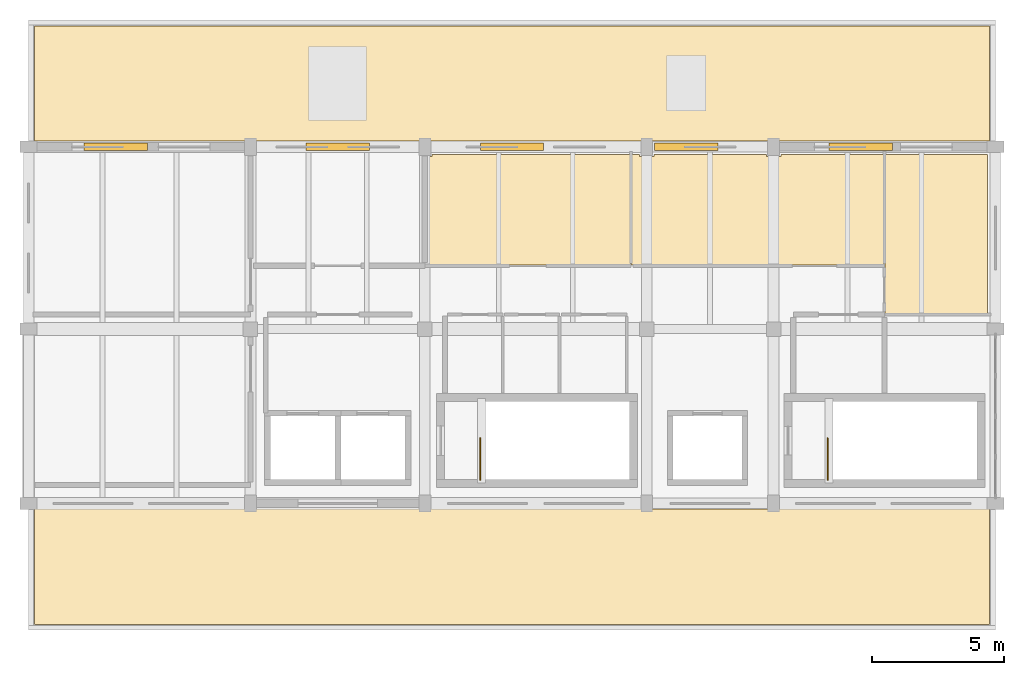
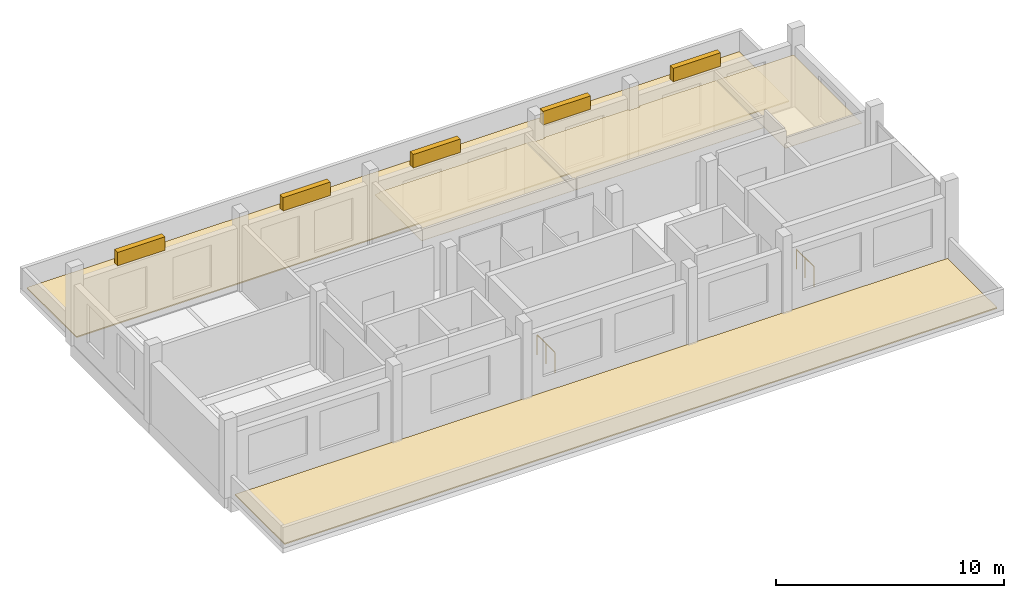
# One storey, part 6 of 6: 5 coverings, 5 shading devices, 2 railings.
"""IFC4 building model written with IfcOpenShell, lengths in metres."""

from ifc_helpers import new_model, si_unit, direction, frame, origin, origin_2d, place, context, subcontext, project, spatial, polyline, rectangle, circle, outline, extrude, material, layer, layer_set, type_object, element, save


model = new_model("IFC4")

# Units and contexts
model_context = context("Model", 3, precision=1e-05, world=origin(), true_north=direction((0.0, 1.0)))
body_context = subcontext(model_context, "Body", "Model", "MODEL_VIEW")
ifc_project = project(units=[si_unit("LENGTHUNIT", "METRE"), si_unit("AREAUNIT", "SQUARE_METRE"), si_unit("VOLUMEUNIT", "CUBIC_METRE"), si_unit("PLANEANGLEUNIT", "RADIAN"), si_unit("MASSUNIT", "GRAM", prefix="KILO")], contexts=[model_context])

# Site, building, storey
site_placement = place(None, origin())
site = spatial("IfcSite", under=ifc_project, at=site_placement, CompositionType="ELEMENT")
building_placement = place(site_placement, origin())
building = spatial("IfcBuilding", under=site, at=building_placement, Name="Dornvale Research Institute", CompositionType="ELEMENT")
storey_placement = place(building_placement, frame((0.0, 0.0, 46.800048828125)))
storey = spatial("IfcBuildingStorey", under=building, at=storey_placement, Name="L10", CompositionType="ELEMENT", Elevation=46.800048828125)

# Coverings
ifc_material_1 = material(Name="Mineral-Fibre Acoustic Lay-In Ceiling Tile System")
ifc_layer_1 = layer(ifc_material_1, 0.02001953125)
ifc_layer_set_1 = layer_set([ifc_layer_1], Name="Mineral-Fibre Acoustic Lay-In Ceiling Tile System")
covering_type_1 = type_object("IfcCoveringType", Name="Covering_Acoustic_Ceiling", PredefinedType="CEILING", material=ifc_layer_set_1)
covering_1_placement = place(storey_placement, frame((0.0, 0.0, 2.849853515625)))
element("IfcCovering", 1, at=covering_1_placement, inside=storey, type_object=covering_type_1, Name="L10 Telemetry and Calibration Laboratory suspended ceiling", PredefinedType="CEILING", context=body_context, shape_type="SweptSolid", body=[
    extrude(outline(polyline([(19.820068359375, 116.925048828125), (20.074951171875, 116.925048828125), (20.074951171875, 117.0), (27.580078125, 117.0), (27.580078125, 112.820068359375), (19.820068359375, 112.820068359375), (19.820068359375, 116.925048828125)])), origin(), (0.0, 0.0, 1.0), 0.02001953125),
])
covering_2_placement = place(storey_placement, frame((0.0, 0.0, 2.849853515625)))
element("IfcCovering", 2, at=covering_2_placement, inside=storey, type_object=covering_type_1, Name="L10 Systems Engineering Seminar Room L10 suspended ceiling", PredefinedType="CEILING", context=body_context, shape_type="SweptSolid", body=[
    extrude(outline(polyline([(32.72509765625, 116.925048828125), (33.27490234375, 116.925048828125), (33.27490234375, 117.0), (37.179931640625, 117.0), (37.179931640625, 112.820068359375), (27.6201171875, 112.820068359375), (27.6201171875, 117.0), (27.925048828125, 117.0), (27.925048828125, 116.925048828125), (28.47509765625, 116.925048828125), (28.47509765625, 117.0), (32.72509765625, 117.0), (32.72509765625, 116.925048828125)])), origin(), (0.0, 0.0, 1.0), 0.02001953125),
])
covering_3_placement = place(storey_placement, frame((0.0, 0.0, 2.849853515625)))
element("IfcCovering", 3, at=covering_3_placement, inside=storey, type_object=covering_type_1, Name="L10 Building Automation and Engineering Office suspended ceiling", PredefinedType="CEILING", context=body_context, shape_type="SweptSolid", body=[
    extrude(outline(polyline([(41.10009765625, 110.969970703125), (37.219970703125, 110.969970703125), (37.219970703125, 117.0), (41.10009765625, 117.0), (41.10009765625, 110.969970703125)])), origin(), (0.0, 0.0, 1.0), 0.02001953125),
])
ifc_material_2 = material(Name="TPO High-Reflectance Cool Roof Membrane and Rigid Insulation")
ifc_layer_2 = layer(ifc_material_2, 0.06005859375)
ifc_layer_set_2 = layer_set([ifc_layer_2], Name="TPO High-Reflectance Cool Roof Membrane and Rigid Insulation")
covering_type_2 = type_object("IfcCoveringType", Name="Covering_CoolRoof_Membrane", PredefinedType="ROOFING", material=ifc_layer_set_2)
covering_4_placement = place(storey_placement, origin())
element("IfcCovering", 4, at=covering_4_placement, inside=storey, type_object=covering_type_2, Name="L10 setback roof membrane S", PredefinedType="ROOFING", context=body_context, shape_type="SweptSolid", body=[
    extrude(outline(polyline([(5.02001953125, 99.219970703125), (41.179931640625, 99.219970703125), (41.179931640625, 103.580078125), (5.02001953125, 103.580078125), (5.02001953125, 99.219970703125)])), origin(), (0.0, 0.0, 1.0), 0.06005859375),
])
covering_5_placement = place(storey_placement, origin())
element("IfcCovering", 5, at=covering_5_placement, inside=storey, type_object=covering_type_2, Name="L10 setback roof membrane N", PredefinedType="ROOFING", context=body_context, shape_type="SweptSolid", body=[
    extrude(outline(polyline([(5.02001953125, 117.52001953125), (41.179931640625, 117.52001953125), (41.179931640625, 121.8798828125), (5.02001953125, 121.8798828125), (5.02001953125, 117.52001953125)])), origin(), (0.0, 0.0, 1.0), 0.06005859375),
])

# Railings
ifc_material_3 = material(Name="Galvanized Painted Tubular Steel Stair Rail", Category="steel")
ifc_layer_3 = layer(ifc_material_3, 0.050048828125)
ifc_layer_set_3 = layer_set([ifc_layer_3], Name="Galvanized Painted Tubular Steel Stair Rail")
railing_type = type_object("IfcRailingType", Name="Railing_Stair_Guard_1100", PredefinedType="GUARDRAIL", material=ifc_layer_set_3)
for number, where, name in (
    (6, (21.89990234375, 104.699951171875, 0.0), "L10 ST-1 top well guard 1"),
    (7, (35.050048828125, 104.699951171875, 0.0), "L10 ST-2 top well guard 1"),
):
    element("IfcRailing", number, at=place(storey_placement, frame(where)), inside=storey, type_object=railing_type, Name=name, PredefinedType="GUARDRAIL", context=body_context, shape_type="SweptSolid", body=[
        extrude(circle(Radius=0.02392578125, at=origin_2d()), frame((0.0, 0.0, 1.076171875), z_axis=(0.0, 1.0, 0.0), x_axis=(-1.0, 0.0, 0.0)), (0.0, 0.0, 1.0), 1.56005859375),
        extrude(circle(Radius=0.02099609375, at=origin_2d()), origin(), (0.0, 0.0, 1.0), 1.052001953125),
        extrude(circle(Radius=0.02099609375, at=origin_2d()), frame((0.0, 0.780029296875, 0.0)), (0.0, 0.0, 1.0), 1.052001953125),
        extrude(circle(Radius=0.02099609375, at=origin_2d()), frame((0.0, 1.56005859375, 0.0)), (0.0, 0.0, 1.0), 1.052001953125),
    ])

# Shading devices
ifc_material_4 = material(Name="Extruded Aluminum Acoustic Intake Louvre", Category="aluminium")
ifc_layer_4 = layer(ifc_material_4, 0.139892578125)
ifc_layer_set_4 = layer_set([ifc_layer_4], Name="Extruded Aluminum Acoustic Intake Louvre")
shading_device_type = type_object("IfcShadingDeviceType", Name="Shading_Acoustic_Louvre", PredefinedType="USERDEFINED", material=ifc_layer_set_4)
for number, where, z_axis, x_axis, name in (
    (8, (8.10009765625, 117.300048828125, 3.419921875), (0.0, 0.0, 1.0), (1.0, 0.0, 0.0), "L10 V5 extruded aluminum acoustic louvre #21"),
    (9, (16.5, 117.300048828125, 3.419921875), (0.0, 0.0, 1.0), (1.0, 0.0, 0.0), "L10 V5 extruded aluminum acoustic louvre #22"),
    (10, (23.10009765625, 117.300048828125, 3.419921875), (0.0, 0.0, 1.0), (1.0, 0.0, 0.0), "L10 V5 extruded aluminum acoustic louvre #23"),
    (11, (29.699951171875, 117.300048828125, 3.419921875), (0.0, 0.0, 1.0), (1.0, 0.0, 0.0), "L10 V5 extruded aluminum acoustic louvre #24"),
    (12, (36.300048828125, 117.300048828125, 3.419921875), (0.0, 0.0, 1.0), (1.0, 0.0, 0.0), "L10 V5 extruded aluminum acoustic louvre #25"),
):
    element("IfcShadingDevice", number, at=place(storey_placement, frame(where, z_axis=z_axis, x_axis=x_axis)), inside=storey, type_object=shading_device_type, Name=name, ObjectType="LOUVRE", PredefinedType="USERDEFINED", context=body_context, shape_type="SweptSolid", body=[
        extrude(rectangle(XDim=2.39990234375, YDim=0.280029296875, at=origin_2d()), origin(), (0.0, 0.0, 1.0), 0.719970703125),
    ])

save(model, "model.ifc")
